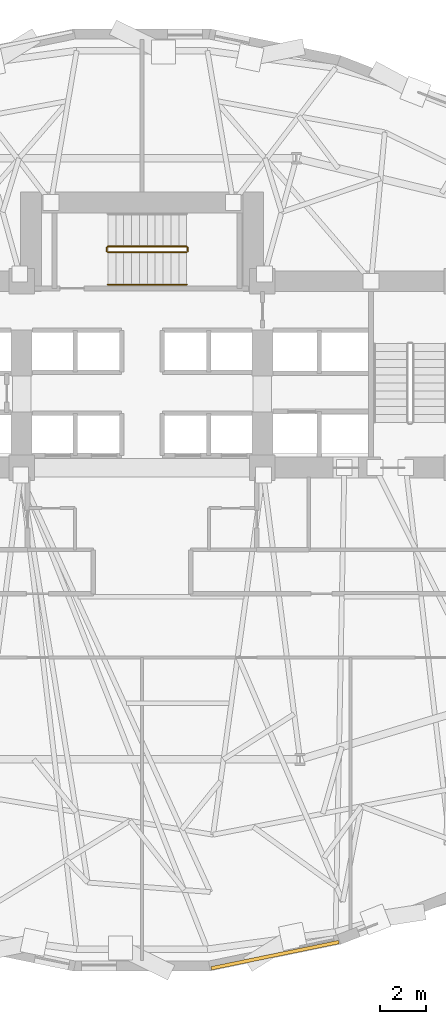
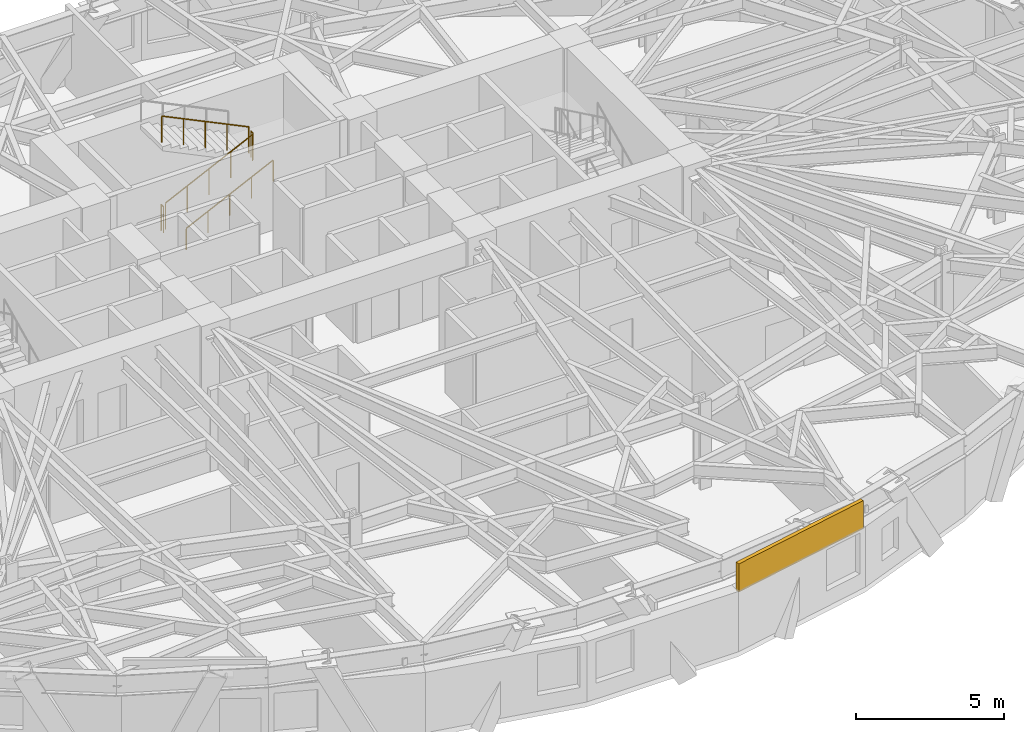
# One storey, part 12 of 14: 5 railings, 1 covering.
"""IFC4 building model written with IfcOpenShell, lengths in metres."""

from ifc_helpers import new_model, si_unit, direction, frame, origin, origin_2d, place, context, subcontext, project, spatial, rectangle, circle, extrude, material, layer, layer_set, type_object, element, save


model = new_model("IFC4")

# Units and contexts
model_context = context("Model", 3, precision=1e-05, world=origin(), true_north=direction((0.0, 1.0)))
body_context = subcontext(model_context, "Body", "Model", "MODEL_VIEW")
ifc_project = project(units=[si_unit("LENGTHUNIT", "METRE"), si_unit("AREAUNIT", "SQUARE_METRE"), si_unit("VOLUMEUNIT", "CUBIC_METRE"), si_unit("PLANEANGLEUNIT", "RADIAN"), si_unit("MASSUNIT", "GRAM", prefix="KILO")], contexts=[model_context])

# Site, building, storey
site_placement = place(None, origin())
site = spatial("IfcSite", under=ifc_project, at=site_placement, CompositionType="ELEMENT")
building_placement = place(site_placement, origin())
building = spatial("IfcBuilding", under=site, at=building_placement, Name="Keldmark Tower", CompositionType="ELEMENT")
storey_placement = place(building_placement, frame((0.0, 0.0, 73.800048828125)))
storey = spatial("IfcBuildingStorey", under=building, at=storey_placement, Name="L19", CompositionType="ELEMENT", Elevation=73.800048828125)

# Covering
ifc_material_1 = material(Name="Honed Kasota Buff Dolomitic Limestone", Category="masonry")
ifc_layer = layer(ifc_material_1, 0.074951171875)
ifc_layer_set = layer_set([ifc_layer], Name="Honed Kasota Buff Dolomitic Limestone")
covering_type = type_object("IfcCoveringType", Name="Kasota Buff Limestone Spandrel Cladding Band", PredefinedType="CLADDING", material=ifc_layer_set)
covering_placement = place(storey_placement, frame((5.747314453125, -19.658447265625, 2.412841796875), z_axis=(0.0, 0.0, 1.0), x_axis=(0.979487419559, 0.201505322326, 0.0)))
element("IfcCovering", 1, at=covering_placement, inside=storey, type_object=covering_type, Name="L19 Kasota Limestone Spandrel Band 25", PredefinedType="CLADDING", context=body_context, shape_type="SweptSolid", body=[
    extrude(rectangle(XDim=5.62646484375, YDim=0.14990234375, at=origin_2d()), origin(), (0.0, 0.0, 1.0), 1.1669921875),
])

# Railings
ifc_material_2 = material(Name="Painted Steel ASTM A500 Grade B", Category="steel")
railing_type_1 = type_object("IfcRailingType", Name="Painted Steel Stair Well Guard 1100 mm", PredefinedType="GUARDRAIL", material=ifc_material_2)
railing_1_placement = place(storey_placement, frame((-1.47509765625, 10.699951171875, 0.16357421875)))
element("IfcRailing", 2, at=railing_1_placement, inside=storey, type_object=railing_type_1, Name="L19 ST3 stair guard 1", PredefinedType="GUARDRAIL", context=body_context, shape_type="SweptSolid", body=[
    extrude(circle(Radius=0.02392578125, at=origin_2d()), frame((0.0, 0.0, 1.076171875), z_axis=(0.901067223353, 0.0, 0.433679442675), x_axis=(0.0, 1.0, 0.0)), (0.0, 0.0, 1.0), 3.7734375),
    extrude(circle(Radius=0.02099609375, at=origin_2d()), origin(), (0.0, 0.0, 1.0), 1.052001953125),
    extrude(circle(Radius=0.02099609375, at=origin_2d()), frame((0.85009765625, 0.0, 0.4091796875)), (0.0, 0.0, 1.0), 1.052001953125),
    extrude(circle(Radius=0.02099609375, at=origin_2d()), frame((1.7001953125, 0.0, 0.818359375)), (0.0, 0.0, 1.0), 1.052001953125),
    extrude(circle(Radius=0.02099609375, at=origin_2d()), frame((2.550048828125, 0.0, 1.227294921875)), (0.0, 0.0, 1.0), 1.052001953125),
    extrude(circle(Radius=0.02099609375, at=origin_2d()), frame((3.400146484375, 0.0, 1.636474609375)), (0.0, 0.0, 1.0), 1.052001953125),
])
railing_2_placement = place(storey_placement, frame((1.97509765625, 10.75, 1.800048828125)))
element("IfcRailing", 3, at=railing_2_placement, inside=storey, type_object=railing_type_1, Name="L19 ST3 stair guard 2", PredefinedType="GUARDRAIL", context=body_context, shape_type="SweptSolid", body=[
    extrude(circle(Radius=0.02392578125, at=origin_2d()), frame((0.0, 0.0, 1.076171875), z_axis=(0.0, 1.0, 0.0), x_axis=(-1.0, 0.0, 0.0)), (0.0, 0.0, 1.0), 0.14990234375),
    extrude(circle(Radius=0.02099609375, at=origin_2d()), origin(), (0.0, 0.0, 1.0), 1.052001953125),
    extrude(circle(Radius=0.02099609375, at=origin_2d()), frame((0.0, 0.14990234375, 0.0)), (0.0, 0.0, 1.0), 1.052001953125),
])
railing_3_placement = place(storey_placement, frame((1.925048828125, 10.949951171875, 1.963623046875)))
element("IfcRailing", 4, at=railing_3_placement, inside=storey, type_object=railing_type_1, Name="L19 ST3 stair guard 3", PredefinedType="GUARDRAIL", context=body_context, shape_type="SweptSolid", body=[
    extrude(circle(Radius=0.02392578125, at=origin_2d()), frame((0.0, 0.0, 1.076171875), z_axis=(-0.901092505359, 0.0, 0.433626909666), x_axis=(0.0, -1.0, 0.0)), (0.0, 0.0, 1.0), 3.7734375),
    extrude(circle(Radius=0.02099609375, at=origin_2d()), origin(), (0.0, 0.0, 1.0), 1.052001953125),
    extrude(circle(Radius=0.02099609375, at=origin_2d()), frame((-0.85009765625, 0.0, 0.4091796875)), (0.0, 0.0, 1.0), 1.052001953125),
    extrude(circle(Radius=0.02099609375, at=origin_2d()), frame((-1.7001953125, 0.0, 0.818115234375)), (0.0, 0.0, 1.0), 1.052001953125),
    extrude(circle(Radius=0.02099609375, at=origin_2d()), frame((-2.550048828125, 0.0, 1.22705078125)), (0.0, 0.0, 1.0), 1.052001953125),
    extrude(circle(Radius=0.02099609375, at=origin_2d()), frame((-3.400146484375, 0.0, 1.63623046875)), (0.0, 0.0, 1.0), 1.052001953125),
])
railing_4_placement = place(storey_placement, frame((-1.52490234375, 10.75, 0.0)))
element("IfcRailing", 5, at=railing_4_placement, inside=storey, type_object=railing_type_1, Name="L19 ST3 stair guard 4", PredefinedType="GUARDRAIL", context=body_context, shape_type="SweptSolid", body=[
    extrude(circle(Radius=0.02392578125, at=origin_2d()), frame((0.0, 0.0, 1.076171875), z_axis=(0.0, 1.0, 0.0), x_axis=(-1.0, 0.0, 0.0)), (0.0, 0.0, 1.0), 0.14990234375),
    extrude(circle(Radius=0.02099609375, at=origin_2d()), origin(), (0.0, 0.0, 1.0), 1.052001953125),
    extrude(circle(Radius=0.02099609375, at=origin_2d()), frame((0.0, 0.14990234375, 0.0)), (0.0, 0.0, 1.0), 1.052001953125),
])
ifc_material_3 = material(Name="Stainless Steel AISI 316L", Category="steel")
railing_type_2 = type_object("IfcRailingType", Name="Stainless Steel Stair Handrail 900 mm", PredefinedType="HANDRAIL", material=ifc_material_3)
railing_5_placement = place(storey_placement, frame((-1.47509765625, 9.300048828125, 0.16357421875)))
element("IfcRailing", 6, at=railing_5_placement, inside=storey, type_object=railing_type_2, Name="L19 ST3 stair handrail 1", PredefinedType="HANDRAIL", context=body_context, shape_type="SweptSolid", body=[
    extrude(circle(Radius=0.02392578125, at=origin_2d()), frame((0.0, 0.0, 0.8759765625), z_axis=(0.901067223353, 0.0, 0.433679442675), x_axis=(0.0, 1.0, 0.0)), (0.0, 0.0, 1.0), 3.7734375),
    extrude(circle(Radius=0.02099609375, at=origin_2d()), origin(), (0.0, 0.0, 1.0), 0.851806640625),
    extrude(circle(Radius=0.02099609375, at=origin_2d()), frame((0.85009765625, 0.0, 0.4091796875)), (0.0, 0.0, 1.0), 0.851806640625),
    extrude(circle(Radius=0.02099609375, at=origin_2d()), frame((1.7001953125, 0.0, 0.818359375)), (0.0, 0.0, 1.0), 0.851806640625),
    extrude(circle(Radius=0.02099609375, at=origin_2d()), frame((2.550048828125, 0.0, 1.227294921875)), (0.0, 0.0, 1.0), 0.851806640625),
    extrude(circle(Radius=0.02099609375, at=origin_2d()), frame((3.400146484375, 0.0, 1.636474609375)), (0.0, 0.0, 1.0), 0.851806640625),
])

save(model, "model.ifc")
